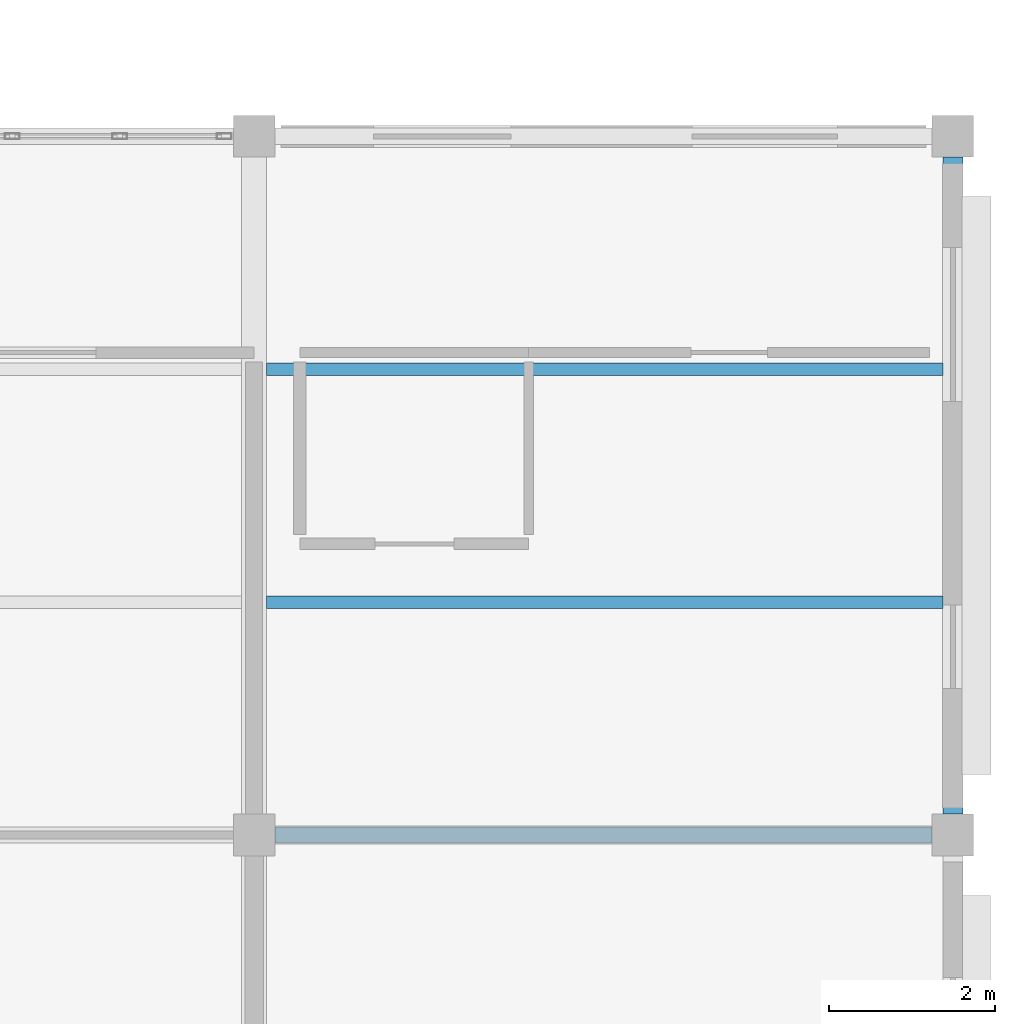
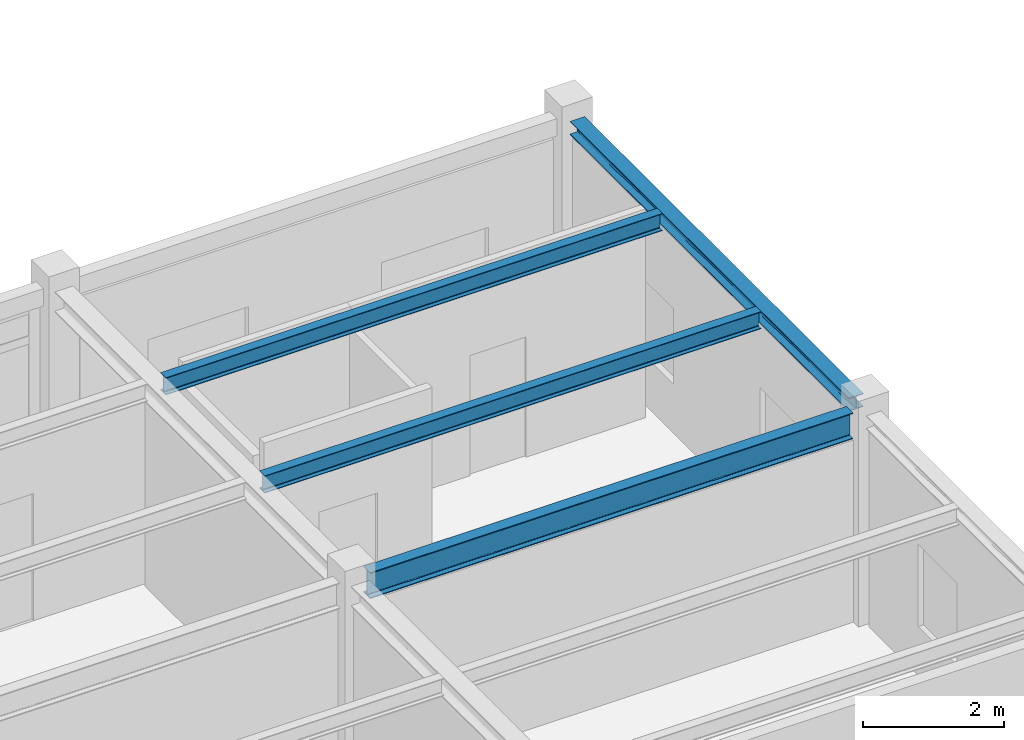
# One storey, part 35 of 86: 4 beams.
"""IFC4 building model written with IfcOpenShell, lengths in metres."""

from ifc_helpers import new_model, si_unit, direction, frame, origin, origin_2d, place, context, subcontext, project, spatial, i_section, extrude, material, material_profile, profile_set, type_object, element, save


model = new_model("IFC4")

# Units and contexts
model_context = context("Model", 3, precision=1e-05, world=origin(), true_north=direction((0.0, 1.0)))
body_context = subcontext(model_context, "Body", "Model", "MODEL_VIEW")
ifc_project = project(units=[si_unit("LENGTHUNIT", "METRE"), si_unit("AREAUNIT", "SQUARE_METRE"), si_unit("VOLUMEUNIT", "CUBIC_METRE"), si_unit("PLANEANGLEUNIT", "RADIAN"), si_unit("MASSUNIT", "GRAM", prefix="KILO")], contexts=[model_context])

# Site, building, storey
site_placement = place(None, origin())
site = spatial("IfcSite", under=ifc_project, at=site_placement, CompositionType="ELEMENT")
building_placement = place(site_placement, origin())
building = spatial("IfcBuilding", under=site, at=building_placement, Name="Bramfleet General Hospital", CompositionType="ELEMENT")
storey_placement = place(building_placement, frame((0.0, 0.0, 18.60009765625)))
storey = spatial("IfcBuildingStorey", under=building, at=storey_placement, Name="L04", CompositionType="ELEMENT", Elevation=18.60009765625)

# Beams
ifc_material = material(Name="Steel S355", Category="steel")
ifc_material_profile_1 = material_profile(ifc_material, i_section(OverallWidth=0.239990234375, OverallDepth=0.22998046875, WebThickness=0.007568359375, FlangeThickness=0.011962890625, FilletRadius=0.02099609375, at=origin_2d()), Name="HEA 240")
ifc_profile_set_1 = profile_set([ifc_material_profile_1], Name="Steel S355")
beam_type_1 = type_object("IfcBeamType", Name="BM-HEA240", PredefinedType="SPANDREL", material=ifc_profile_set_1)
beam_1_placement = place(storey_placement, frame((168.0, 17.050048828125, 3.494873046875), z_axis=(0.0, 1.0, 0.0), x_axis=(-1.0, 0.0, 0.0)))
element("IfcBeam", 1, at=beam_1_placement, inside=storey, type_object=beam_type_1, Name="L04 Grid Beam Y 20-02", PredefinedType="SPANDREL", context=body_context, shape_type="SweptSolid", body=[
    extrude(i_section(OverallWidth=0.239990234375, OverallDepth=0.22998046875, WebThickness=0.007568359375, FlangeThickness=0.011962890625, FilletRadius=0.02099609375, at=origin_2d()), origin(), (0.0, 0.0, 1.0), 7.89990234375),
])
ifc_material_profile_2 = material_profile(ifc_material, i_section(OverallWidth=0.14990234375, OverallDepth=0.300048828125, WebThickness=0.007080078125, FlangeThickness=0.0107421875, FilletRadius=0.014892578125, at=origin_2d()), Name="IPE 300")
ifc_profile_set_2 = profile_set([ifc_material_profile_2], Name="Steel S355")
beam_type_2 = type_object("IfcBeamType", Name="BM-IPE300", PredefinedType="JOIST", material=ifc_profile_set_2)
for number, where, z_axis, x_axis, name in (
    (2, (159.75, 19.60009765625, 3.4599609375), (1.0, 0.0, 0.0), (0.0, 1.0, 0.0), "L04 Secondary Joist 19-02-1"),
    (3, (159.75, 22.39990234375, 3.4599609375), (1.0, 0.0, 0.0), (0.0, 1.0, 0.0), "L04 Secondary Joist 19-02-2"),
):
    element("IfcBeam", number, at=place(storey_placement, frame(where, z_axis=z_axis, x_axis=x_axis)), inside=storey, type_object=beam_type_2, Name=name, PredefinedType="JOIST", context=body_context, shape_type="SweptSolid", body=[
        extrude(i_section(OverallWidth=0.14990234375, OverallDepth=0.300048828125, WebThickness=0.007080078125, FlangeThickness=0.0107421875, FilletRadius=0.014892578125, at=origin_2d()), origin(), (0.0, 0.0, 1.0), 8.1298828125),
    ])
ifc_material_profile_3 = material_profile(ifc_material, i_section(OverallWidth=0.18994140625, OverallDepth=0.449951171875, WebThickness=0.009521484375, FlangeThickness=0.0146484375, FilletRadius=0.02099609375, at=origin_2d()), Name="IPE 450")
ifc_profile_set_3 = profile_set([ifc_material_profile_3], Name="Steel S355")
beam_type_3 = type_object("IfcBeamType", Name="BM-IPE450", PredefinedType="BEAM", material=ifc_profile_set_3)
beam_2_placement = place(storey_placement, frame((159.85009765625, 16.800048828125, 3.385009765625), z_axis=(1.0, 0.0, 0.0), x_axis=(0.0, 1.0, 0.0)))
element("IfcBeam", 4, at=beam_2_placement, inside=storey, type_object=beam_type_3, Name="L04 Grid Beam X 19-02", PredefinedType="BEAM", context=body_context, shape_type="SweptSolid", body=[
    extrude(i_section(OverallWidth=0.18994140625, OverallDepth=0.449951171875, WebThickness=0.009521484375, FlangeThickness=0.0146484375, FilletRadius=0.02099609375, at=origin_2d()), origin(), (0.0, 0.0, 1.0), 7.89990234375),
])

save(model, "model.ifc")
